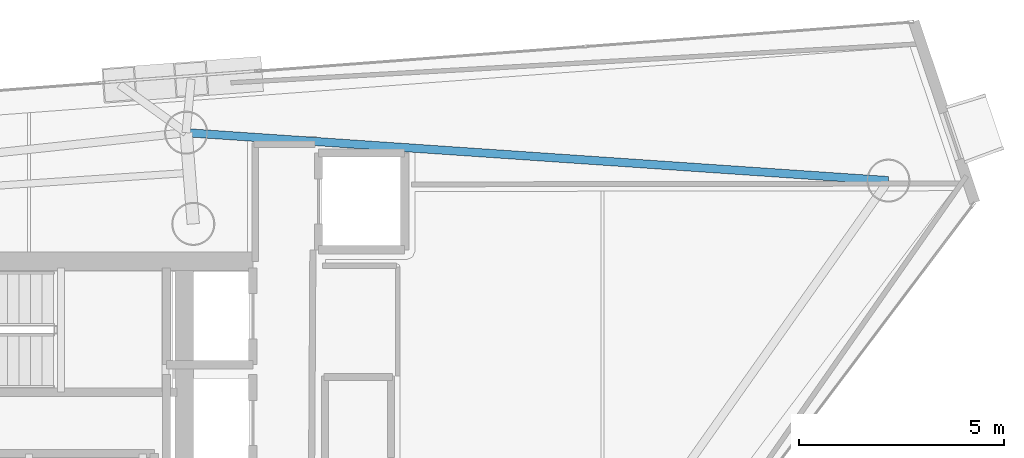
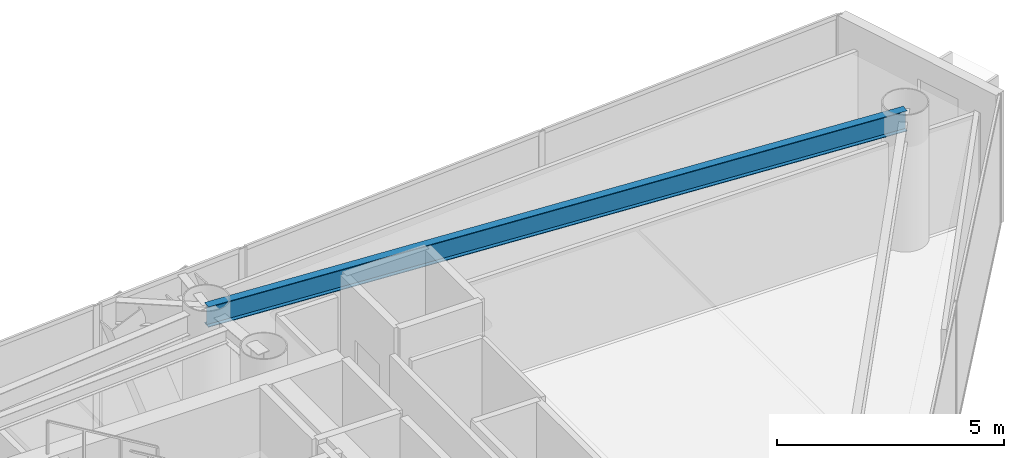
# One storey, part 11 of 19: 1 beam.
"""IFC4 building model written with IfcOpenShell, lengths in metres."""

from ifc_helpers import new_model, si_unit, direction, frame, origin, origin_2d, place, context, subcontext, project, spatial, i_section, extrude, material, material_profile, profile_set, type_object, element, save


model = new_model("IFC4")

# Units and contexts
model_context = context("Model", 3, precision=1e-05, world=origin(), true_north=direction((0.0, 1.0)))
body_context = subcontext(model_context, "Body", "Model", "MODEL_VIEW")
ifc_project = project(units=[si_unit("LENGTHUNIT", "METRE"), si_unit("AREAUNIT", "SQUARE_METRE"), si_unit("VOLUMEUNIT", "CUBIC_METRE"), si_unit("PLANEANGLEUNIT", "RADIAN"), si_unit("MASSUNIT", "GRAM", prefix="KILO")], contexts=[model_context])

# Site, building, storey
site_placement = place(None, origin())
site = spatial("IfcSite", under=ifc_project, at=site_placement, CompositionType="ELEMENT")
building_placement = place(site_placement, origin())
building = spatial("IfcBuilding", under=site, at=building_placement, Name="Qianvela Tower", CompositionType="ELEMENT")
storey_placement = place(building_placement, frame((0.0, 0.0, 268.60009765625)))
storey = spatial("IfcBuildingStorey", under=building, at=storey_placement, Name="L69", CompositionType="ELEMENT", Elevation=268.60009765625)

# Beam
ifc_material = material(Name="Steel Q355B", Category="steel")
ifc_material_profile = material_profile(ifc_material, i_section(OverallWidth=0.199951171875, OverallDepth=0.550048828125, WebThickness=0.010009765625, FlangeThickness=0.01611328125, at=origin_2d()), Name="HN550x200x10x16")
ifc_profile_set = profile_set([ifc_material_profile], Name="Steel Q355B")
beam_type = type_object("IfcBeamType", Name="BM-HN550-GIRD", PredefinedType="BEAM", material=ifc_profile_set)
beam_placement = place(storey_placement, frame((55.33203125, 34.60498046875, 3.242919921875), z_axis=(-0.997677407473, 0.068116008525, 0.0), x_axis=(-0.068116008525, -0.997677407473, 0.0)))
element("IfcBeam", 1, at=beam_placement, inside=storey, type_object=beam_type, Name="L69 Perimeter Ring Spandrel Girder 1", PredefinedType="BEAM", context=body_context, shape_type="SweptSolid", body=[
    extrude(i_section(OverallWidth=0.199951171875, OverallDepth=0.550048828125, WebThickness=0.010009765625, FlangeThickness=0.01611328125, at=origin_2d()), origin(), (0.0, 0.0, 1.0), 17.146728515625),
])

save(model, "model.ifc")
